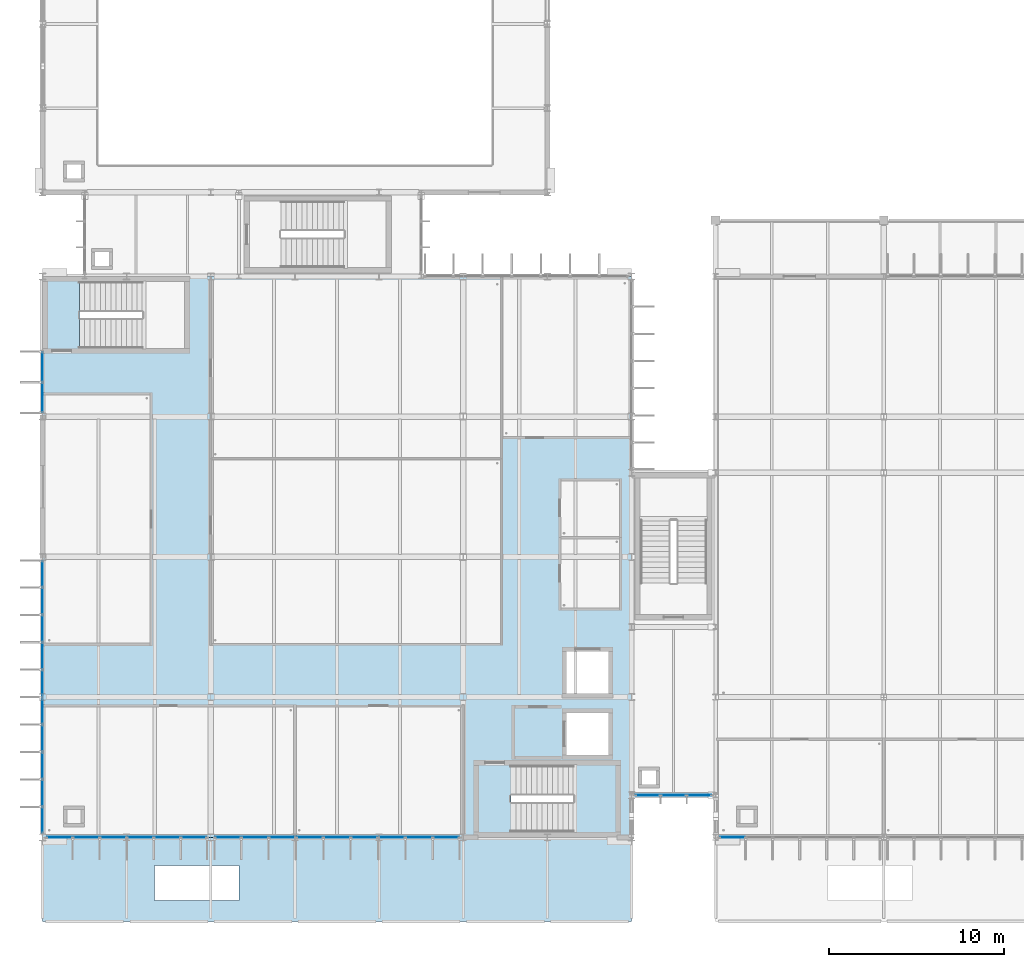
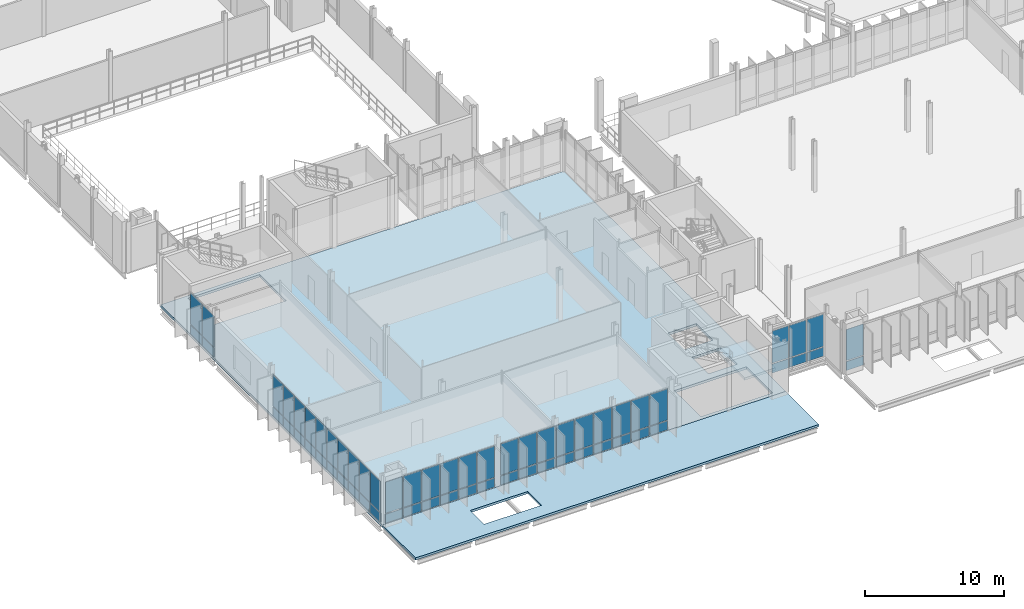
# One storey, part 46 of 107: 62 plates, 3 slabs, 7 elements without a shape of their own.
"""IFC4 building model written with IfcOpenShell, lengths in metres."""

from ifc_helpers import new_model, si_unit, direction, frame, origin, origin_2d, place, context, subcontext, project, spatial, polyline, rectangle, outline, extrude, material, layer, layer_set, type_object, element, aggregate, save


model = new_model("IFC4")

# Units and contexts
model_context = context("Model", 3, precision=1e-05, world=origin(), true_north=direction((0.0, 1.0)))
body_context = subcontext(model_context, "Body", "Model", "MODEL_VIEW")
ifc_project = project(units=[si_unit("LENGTHUNIT", "METRE"), si_unit("AREAUNIT", "SQUARE_METRE"), si_unit("VOLUMEUNIT", "CUBIC_METRE"), si_unit("PLANEANGLEUNIT", "RADIAN"), si_unit("MASSUNIT", "GRAM", prefix="KILO")], contexts=[model_context])

# Site, building, storey
site_placement = place(None, origin())
site = spatial("IfcSite", under=ifc_project, at=site_placement, CompositionType="ELEMENT")
building_placement = place(site_placement, origin())
building = spatial("IfcBuilding", under=site, at=building_placement, Name="Dunescarp Central Library", CompositionType="ELEMENT")
storey_placement = place(building_placement, frame((0.0, 0.0, 5.10009765625)))
storey = spatial("IfcBuildingStorey", under=building, at=storey_placement, Name="L01", CompositionType="ELEMENT", Elevation=5.10009765625)

# Curtain wall, plates
ifc_material_1 = material(Name="Marine-grade anodised aluminium 6063-T6", Category="aluminium")
curtain_wall_type_1 = type_object("IfcCurtainWallType", Name="ARC-CW-STICK", PredefinedType="NOTDEFINED", material=ifc_material_1)
curtain_wall_1_placement = place(storey_placement, origin())
curtain_wall_1 = element("IfcCurtainWall", 1, at=curtain_wall_1_placement, inside=storey, type_object=curtain_wall_type_1, Name="L01 curtain wall CW-V1-006", PredefinedType="NOTDEFINED")
ifc_material_2 = material(Name="Solar-control laminated double glazing", Category="glass")
ifc_layer_1 = layer(ifc_material_2, 0.028076171875)
ifc_layer_set_1 = layer_set([ifc_layer_1], Name="Solar-control laminated double glazing")
plate_type_1 = type_object("IfcPlateType", Name="ARC-PLT-GLZ28", PredefinedType="CURTAIN_PANEL", material=ifc_layer_set_1)
plate_1_placement = place(storey_placement, frame((8.63427734375, 4.800048828125, 0.93994140625), z_axis=(0.0, 0.0, 1.0), x_axis=(-1.0, 0.0, 0.0)))
plate_1 = element("IfcPlate", 2, at=plate_1_placement, type_object=plate_type_1, Name="CW-V1-006 panel 1.2", PredefinedType="CURTAIN_PANEL", context=body_context, shape_type="SweptSolid", body=[
    extrude(rectangle(XDim=1.421630859375, YDim=0.028076171875, at=origin_2d()), origin(), (0.0, 0.0, 1.0), 2.7451171875),
])
plate_2_placement = place(storey_placement, frame((7.112548828125, 4.800048828125, 0.93994140625), z_axis=(0.0, 0.0, 1.0), x_axis=(-1.0, 0.0, 0.0)))
plate_2 = element("IfcPlate", 3, at=plate_2_placement, type_object=plate_type_1, Name="CW-V1-006 panel 2.2", PredefinedType="CURTAIN_PANEL", context=body_context, shape_type="SweptSolid", body=[
    extrude(rectangle(XDim=1.461669921875, YDim=0.028076171875, at=origin_2d()), origin(), (0.0, 0.0, 1.0), 2.7451171875),
])
plate_3_placement = place(storey_placement, frame((5.57080078125, 4.800048828125, 0.93994140625), z_axis=(0.0, 0.0, 1.0), x_axis=(-1.0, 0.0, 0.0)))
plate_3 = element("IfcPlate", 4, at=plate_3_placement, type_object=plate_type_1, Name="CW-V1-006 panel 3.2", PredefinedType="CURTAIN_PANEL", context=body_context, shape_type="SweptSolid", body=[
    extrude(rectangle(XDim=1.461669921875, YDim=0.028076171875, at=origin_2d()), origin(), (0.0, 0.0, 1.0), 2.7451171875),
])
plate_4_placement = place(storey_placement, frame((4.029052734375, 4.800048828125, 0.93994140625), z_axis=(0.0, 0.0, 1.0), x_axis=(-1.0, 0.0, 0.0)))
plate_4 = element("IfcPlate", 5, at=plate_4_placement, type_object=plate_type_1, Name="CW-V1-006 panel 4.2", PredefinedType="CURTAIN_PANEL", context=body_context, shape_type="SweptSolid", body=[
    extrude(rectangle(XDim=1.461669921875, YDim=0.028076171875, at=origin_2d()), origin(), (0.0, 0.0, 1.0), 2.7451171875),
])
plate_5_placement = place(storey_placement, frame((2.487548828125, 4.800048828125, 0.93994140625), z_axis=(0.0, 0.0, 1.0), x_axis=(-1.0, 0.0, 0.0)))
plate_5 = element("IfcPlate", 6, at=plate_5_placement, type_object=plate_type_1, Name="CW-V1-006 panel 5.2", PredefinedType="CURTAIN_PANEL", context=body_context, shape_type="SweptSolid", body=[
    extrude(rectangle(XDim=1.461669921875, YDim=0.028076171875, at=origin_2d()), origin(), (0.0, 0.0, 1.0), 2.7451171875),
])
plate_6_placement = place(storey_placement, frame((0.9658203125, 4.800048828125, 0.93994140625), z_axis=(0.0, 0.0, 1.0), x_axis=(-1.0, 0.0, 0.0)))
plate_6 = element("IfcPlate", 7, at=plate_6_placement, type_object=plate_type_1, Name="CW-V1-006 panel 6.2", PredefinedType="CURTAIN_PANEL", context=body_context, shape_type="SweptSolid", body=[
    extrude(rectangle(XDim=1.421630859375, YDim=0.028076171875, at=origin_2d()), origin(), (0.0, 0.0, 1.0), 2.7451171875),
])

curtain_wall_2_placement = place(storey_placement, origin())
curtain_wall_2 = element("IfcCurtainWall", 8, at=curtain_wall_2_placement, inside=storey, type_object=curtain_wall_type_1, Name="L01 curtain wall CW-V1-007", PredefinedType="NOTDEFINED")
plate_7_placement = place(storey_placement, frame((23.0244140625, 4.800048828125, 0.93994140625), z_axis=(0.0, 0.0, 1.0), x_axis=(-1.0, 0.0, 0.0)))
plate_7 = element("IfcPlate", 9, at=plate_7_placement, type_object=plate_type_1, Name="CW-V1-007 panel 1.2", PredefinedType="CURTAIN_PANEL", context=body_context, shape_type="SweptSolid", body=[
    extrude(rectangle(XDim=1.441162109375, YDim=0.028076171875, at=origin_2d()), origin(), (0.0, 0.0, 1.0), 2.7451171875),
])
plate_8_placement = place(storey_placement, frame((21.4833984375, 4.800048828125, 0.93994140625), z_axis=(0.0, 0.0, 1.0), x_axis=(-1.0, 0.0, 0.0)))
plate_8 = element("IfcPlate", 10, at=plate_8_placement, type_object=plate_type_1, Name="CW-V1-007 panel 2.2", PredefinedType="CURTAIN_PANEL", context=body_context, shape_type="SweptSolid", body=[
    extrude(rectangle(XDim=1.481201171875, YDim=0.028076171875, at=origin_2d()), origin(), (0.0, 0.0, 1.0), 2.7451171875),
])
plate_9_placement = place(storey_placement, frame((19.922119140625, 4.800048828125, 0.93994140625), z_axis=(0.0, 0.0, 1.0), x_axis=(-1.0, 0.0, 0.0)))
plate_9 = element("IfcPlate", 11, at=plate_9_placement, type_object=plate_type_1, Name="CW-V1-007 panel 3.2", PredefinedType="CURTAIN_PANEL", context=body_context, shape_type="SweptSolid", body=[
    extrude(rectangle(XDim=1.481201171875, YDim=0.028076171875, at=origin_2d()), origin(), (0.0, 0.0, 1.0), 2.7451171875),
])
plate_10_placement = place(storey_placement, frame((18.361083984375, 4.800048828125, 0.93994140625), z_axis=(0.0, 0.0, 1.0), x_axis=(-1.0, 0.0, 0.0)))
plate_10 = element("IfcPlate", 12, at=plate_10_placement, type_object=plate_type_1, Name="CW-V1-007 panel 4.2", PredefinedType="CURTAIN_PANEL", context=body_context, shape_type="SweptSolid", body=[
    extrude(rectangle(XDim=1.481201171875, YDim=0.028076171875, at=origin_2d()), origin(), (0.0, 0.0, 1.0), 2.7451171875),
])
plate_11_placement = place(storey_placement, frame((16.800048828125, 4.800048828125, 0.93994140625), z_axis=(0.0, 0.0, 1.0), x_axis=(-1.0, 0.0, 0.0)))
plate_11 = element("IfcPlate", 13, at=plate_11_placement, type_object=plate_type_1, Name="CW-V1-007 panel 5.2", PredefinedType="CURTAIN_PANEL", context=body_context, shape_type="SweptSolid", body=[
    extrude(rectangle(XDim=1.481201171875, YDim=0.028076171875, at=origin_2d()), origin(), (0.0, 0.0, 1.0), 2.7451171875),
])
plate_12_placement = place(storey_placement, frame((15.23876953125, 4.800048828125, 0.93994140625), z_axis=(0.0, 0.0, 1.0), x_axis=(-1.0, 0.0, 0.0)))
plate_12 = element("IfcPlate", 14, at=plate_12_placement, type_object=plate_type_1, Name="CW-V1-007 panel 6.2", PredefinedType="CURTAIN_PANEL", context=body_context, shape_type="SweptSolid", body=[
    extrude(rectangle(XDim=1.481201171875, YDim=0.028076171875, at=origin_2d()), origin(), (0.0, 0.0, 1.0), 2.7451171875),
])
plate_13_placement = place(storey_placement, frame((13.677734375, 4.800048828125, 0.93994140625), z_axis=(0.0, 0.0, 1.0), x_axis=(-1.0, 0.0, 0.0)))
plate_13 = element("IfcPlate", 15, at=plate_13_placement, type_object=plate_type_1, Name="CW-V1-007 panel 7.2", PredefinedType="CURTAIN_PANEL", context=body_context, shape_type="SweptSolid", body=[
    extrude(rectangle(XDim=1.481201171875, YDim=0.028076171875, at=origin_2d()), origin(), (0.0, 0.0, 1.0), 2.7451171875),
])
plate_14_placement = place(storey_placement, frame((12.11669921875, 4.800048828125, 0.93994140625), z_axis=(0.0, 0.0, 1.0), x_axis=(-1.0, 0.0, 0.0)))
plate_14 = element("IfcPlate", 16, at=plate_14_placement, type_object=plate_type_1, Name="CW-V1-007 panel 8.2", PredefinedType="CURTAIN_PANEL", context=body_context, shape_type="SweptSolid", body=[
    extrude(rectangle(XDim=1.481201171875, YDim=0.028076171875, at=origin_2d()), origin(), (0.0, 0.0, 1.0), 2.7451171875),
])
plate_15_placement = place(storey_placement, frame((10.575439453125, 4.800048828125, 0.93994140625), z_axis=(0.0, 0.0, 1.0), x_axis=(-1.0, 0.0, 0.0)))
plate_15 = element("IfcPlate", 17, at=plate_15_placement, type_object=plate_type_1, Name="CW-V1-007 panel 9.2", PredefinedType="CURTAIN_PANEL", context=body_context, shape_type="SweptSolid", body=[
    extrude(rectangle(XDim=1.441162109375, YDim=0.028076171875, at=origin_2d()), origin(), (0.0, 0.0, 1.0), 2.7451171875),
])

curtain_wall_3_placement = place(storey_placement, origin())
curtain_wall_3 = element("IfcCurtainWall", 18, at=curtain_wall_3_placement, inside=storey, type_object=curtain_wall_type_1, Name="L01 curtain wall CW-V1-009", PredefinedType="NOTDEFINED")
plate_16_placement = place(storey_placement, frame((0.0, 5.777587890625, 0.93994140625), z_axis=(0.0, 0.0, 1.0), x_axis=(0.0, 1.0, 0.0)))
plate_16 = element("IfcPlate", 19, at=plate_16_placement, type_object=plate_type_1, Name="CW-V1-009 panel 1.2", PredefinedType="CURTAIN_PANEL", context=body_context, shape_type="SweptSolid", body=[
    extrude(rectangle(XDim=1.445068359375, YDim=0.028076171875, at=origin_2d()), origin(), (0.0, 0.0, 1.0), 2.7451171875),
])
plate_17_placement = place(storey_placement, frame((0.0, 7.322509765625, 0.93994140625), z_axis=(0.0, 0.0, 1.0), x_axis=(0.0, 1.0, 0.0)))
plate_17 = element("IfcPlate", 20, at=plate_17_placement, type_object=plate_type_1, Name="CW-V1-009 panel 2.2", PredefinedType="CURTAIN_PANEL", context=body_context, shape_type="SweptSolid", body=[
    extrude(rectangle(XDim=1.485107421875, YDim=0.028076171875, at=origin_2d()), origin(), (0.0, 0.0, 1.0), 2.7451171875),
])
plate_18_placement = place(storey_placement, frame((0.0, 8.887451171875, 0.93994140625), z_axis=(0.0, 0.0, 1.0), x_axis=(0.0, 1.0, 0.0)))
plate_18 = element("IfcPlate", 21, at=plate_18_placement, type_object=plate_type_1, Name="CW-V1-009 panel 3.2", PredefinedType="CURTAIN_PANEL", context=body_context, shape_type="SweptSolid", body=[
    extrude(rectangle(XDim=1.485107421875, YDim=0.028076171875, at=origin_2d()), origin(), (0.0, 0.0, 1.0), 2.7451171875),
])
plate_19_placement = place(storey_placement, frame((0.0, 10.452392578125, 0.93994140625), z_axis=(0.0, 0.0, 1.0), x_axis=(0.0, 1.0, 0.0)))
plate_19 = element("IfcPlate", 22, at=plate_19_placement, type_object=plate_type_1, Name="CW-V1-009 panel 4.2", PredefinedType="CURTAIN_PANEL", context=body_context, shape_type="SweptSolid", body=[
    extrude(rectangle(XDim=1.485107421875, YDim=0.028076171875, at=origin_2d()), origin(), (0.0, 0.0, 1.0), 2.7451171875),
])
plate_20_placement = place(storey_placement, frame((0.0, 12.017578125, 0.93994140625), z_axis=(0.0, 0.0, 1.0), x_axis=(0.0, 1.0, 0.0)))
plate_20 = element("IfcPlate", 23, at=plate_20_placement, type_object=plate_type_1, Name="CW-V1-009 panel 5.2", PredefinedType="CURTAIN_PANEL", context=body_context, shape_type="SweptSolid", body=[
    extrude(rectangle(XDim=1.485107421875, YDim=0.028076171875, at=origin_2d()), origin(), (0.0, 0.0, 1.0), 2.7451171875),
])
plate_21_placement = place(storey_placement, frame((0.0, 13.58251953125, 0.93994140625), z_axis=(0.0, 0.0, 1.0), x_axis=(0.0, 1.0, 0.0)))
plate_21 = element("IfcPlate", 24, at=plate_21_placement, type_object=plate_type_1, Name="CW-V1-009 panel 6.2", PredefinedType="CURTAIN_PANEL", context=body_context, shape_type="SweptSolid", body=[
    extrude(rectangle(XDim=1.485107421875, YDim=0.028076171875, at=origin_2d()), origin(), (0.0, 0.0, 1.0), 2.7451171875),
])
plate_22_placement = place(storey_placement, frame((0.0, 15.1474609375, 0.93994140625), z_axis=(0.0, 0.0, 1.0), x_axis=(0.0, 1.0, 0.0)))
plate_22 = element("IfcPlate", 25, at=plate_22_placement, type_object=plate_type_1, Name="CW-V1-009 panel 7.2", PredefinedType="CURTAIN_PANEL", context=body_context, shape_type="SweptSolid", body=[
    extrude(rectangle(XDim=1.485107421875, YDim=0.028076171875, at=origin_2d()), origin(), (0.0, 0.0, 1.0), 2.7451171875),
])
plate_23_placement = place(storey_placement, frame((0.0, 16.71240234375, 0.93994140625), z_axis=(0.0, 0.0, 1.0), x_axis=(0.0, 1.0, 0.0)))
plate_23 = element("IfcPlate", 26, at=plate_23_placement, type_object=plate_type_1, Name="CW-V1-009 panel 8.2", PredefinedType="CURTAIN_PANEL", context=body_context, shape_type="SweptSolid", body=[
    extrude(rectangle(XDim=1.485107421875, YDim=0.028076171875, at=origin_2d()), origin(), (0.0, 0.0, 1.0), 2.7451171875),
])
plate_24_placement = place(storey_placement, frame((0.0, 18.277587890625, 0.93994140625), z_axis=(0.0, 0.0, 1.0), x_axis=(0.0, 1.0, 0.0)))
plate_24 = element("IfcPlate", 27, at=plate_24_placement, type_object=plate_type_1, Name="CW-V1-009 panel 9.2", PredefinedType="CURTAIN_PANEL", context=body_context, shape_type="SweptSolid", body=[
    extrude(rectangle(XDim=1.485107421875, YDim=0.028076171875, at=origin_2d()), origin(), (0.0, 0.0, 1.0), 2.7451171875),
])
plate_25_placement = place(storey_placement, frame((0.0, 19.822509765625, 0.93994140625), z_axis=(0.0, 0.0, 1.0), x_axis=(0.0, 1.0, 0.0)))
plate_25 = element("IfcPlate", 28, at=plate_25_placement, type_object=plate_type_1, Name="CW-V1-009 panel 10.2", PredefinedType="CURTAIN_PANEL", context=body_context, shape_type="SweptSolid", body=[
    extrude(rectangle(XDim=1.445068359375, YDim=0.028076171875, at=origin_2d()), origin(), (0.0, 0.0, 1.0), 2.7451171875),
])

curtain_wall_4_placement = place(storey_placement, origin())
curtain_wall_4 = element("IfcCurtainWall", 29, at=curtain_wall_4_placement, inside=storey, type_object=curtain_wall_type_1, Name="L01 curtain wall CW-V1-010", PredefinedType="NOTDEFINED")
plate_26_placement = place(storey_placement, frame((0.0, 29.888671875, 0.93994140625), z_axis=(0.0, 0.0, 1.0), x_axis=(0.0, 1.0, 0.0)))
plate_26 = element("IfcPlate", 30, at=plate_26_placement, type_object=plate_type_1, Name="CW-V1-010 panel 1.2", PredefinedType="CURTAIN_PANEL", context=body_context, shape_type="SweptSolid", body=[
    extrude(rectangle(XDim=1.66748046875, YDim=0.028076171875, at=origin_2d()), origin(), (0.0, 0.0, 1.0), 2.7451171875),
])
plate_27_placement = place(storey_placement, frame((0.0, 31.63623046875, 0.93994140625), z_axis=(0.0, 0.0, 1.0), x_axis=(0.0, 1.0, 0.0)))
plate_27 = element("IfcPlate", 31, at=plate_27_placement, type_object=plate_type_1, Name="CW-V1-010 panel 2.2", PredefinedType="CURTAIN_PANEL", context=body_context, shape_type="SweptSolid", body=[
    extrude(rectangle(XDim=1.66748046875, YDim=0.028076171875, at=origin_2d()), origin(), (0.0, 0.0, 1.0), 2.7451171875),
])

# Curtain wall, plate
curtain_wall_5_placement = place(storey_placement, origin())
curtain_wall_5 = element("IfcCurtainWall", 32, at=curtain_wall_5_placement, inside=storey, type_object=curtain_wall_type_1, Name="L01 curtain wall CW-V2-048", PredefinedType="NOTDEFINED")
plate_28_placement = place(storey_placement, frame((39.36572265625, 4.800048828125, 0.93994140625), z_axis=(0.0, 0.0, 1.0), x_axis=(-1.0, 0.0, 0.0)))
plate_28 = element("IfcPlate", 33, at=plate_28_placement, type_object=plate_type_1, Name="CW-V2-048 panel 6.2", PredefinedType="CURTAIN_PANEL", context=body_context, shape_type="SweptSolid", body=[
    extrude(rectangle(XDim=1.421630859375, YDim=0.028076171875, at=origin_2d()), origin(), (0.0, 0.0, 1.0), 2.7451171875),
])

# Curtain wall, plates
curtain_wall_type_2 = type_object("IfcCurtainWallType", Name="ARC-CW-LINK", PredefinedType="USERDEFINED", material=ifc_material_1)
curtain_wall_6_placement = place(storey_placement, origin())
curtain_wall_6 = element("IfcCurtainWall", 34, at=curtain_wall_6_placement, inside=storey, type_object=curtain_wall_type_2, Name="L01 curtain wall CW-GL1-S-L01", ObjectType="GLAZED_LINK_WALL", PredefinedType="USERDEFINED")
plate_29_placement = place(storey_placement, frame((37.46337890625, 7.199951171875, 0.93994140625), z_axis=(0.0, 0.0, 1.0), x_axis=(-1.0, 0.0, 0.0)))
plate_29 = element("IfcPlate", 35, at=plate_29_placement, type_object=plate_type_1, Name="CW-GL1-S-L01 panel 1.2", PredefinedType="CURTAIN_PANEL", context=body_context, shape_type="SweptSolid", body=[
    extrude(rectangle(XDim=1.36328125, YDim=0.028076171875, at=origin_2d()), origin(), (0.0, 0.0, 1.0), 2.83203125),
])
plate_30_placement = place(storey_placement, frame((36.0, 7.199951171875, 0.93994140625), z_axis=(0.0, 0.0, 1.0), x_axis=(-1.0, 0.0, 0.0)))
plate_30 = element("IfcPlate", 36, at=plate_30_placement, type_object=plate_type_1, Name="CW-GL1-S-L01 panel 2.2", PredefinedType="CURTAIN_PANEL", context=body_context, shape_type="SweptSolid", body=[
    extrude(rectangle(XDim=1.4033203125, YDim=0.028076171875, at=origin_2d()), origin(), (0.0, 0.0, 1.0), 2.83203125),
])
plate_31_placement = place(storey_placement, frame((34.53662109375, 7.199951171875, 0.93994140625), z_axis=(0.0, 0.0, 1.0), x_axis=(-1.0, 0.0, 0.0)))
plate_31 = element("IfcPlate", 37, at=plate_31_placement, type_object=plate_type_1, Name="CW-GL1-S-L01 panel 3.2", PredefinedType="CURTAIN_PANEL", context=body_context, shape_type="SweptSolid", body=[
    extrude(rectangle(XDim=1.36328125, YDim=0.028076171875, at=origin_2d()), origin(), (0.0, 0.0, 1.0), 2.83203125),
])

# Plate
ifc_layer_2 = layer(ifc_material_1, 0.050048828125)
ifc_layer_set_2 = layer_set([ifc_layer_2], Name="Marine-grade anodised aluminium 6063-T6")
plate_type_2 = type_object("IfcPlateType", Name="ARC-PLT-SPN50", PredefinedType="SHEET", material=ifc_layer_set_2)
plate_32_placement = place(storey_placement, frame((8.63427734375, 4.800048828125, 0.080078125), z_axis=(0.0, 0.0, 1.0), x_axis=(-1.0, 0.0, 0.0)))
plate_32 = element("IfcPlate", 38, at=plate_32_placement, type_object=plate_type_2, Name="CW-V1-006 panel 1.1", PredefinedType="SHEET", context=body_context, shape_type="SweptSolid", body=[
    extrude(rectangle(XDim=1.421630859375, YDim=0.050048828125, at=origin_2d()), origin(), (0.0, 0.0, 1.0), 0.780029296875),
])

plate_33_placement = place(storey_placement, frame((7.112548828125, 4.800048828125, 0.080078125), z_axis=(0.0, 0.0, 1.0), x_axis=(-1.0, 0.0, 0.0)))
plate_33 = element("IfcPlate", 39, at=plate_33_placement, type_object=plate_type_2, Name="CW-V1-006 panel 2.1", PredefinedType="SHEET", context=body_context, shape_type="SweptSolid", body=[
    extrude(rectangle(XDim=1.461669921875, YDim=0.050048828125, at=origin_2d()), origin(), (0.0, 0.0, 1.0), 0.780029296875),
])

plate_34_placement = place(storey_placement, frame((5.57080078125, 4.800048828125, 0.080078125), z_axis=(0.0, 0.0, 1.0), x_axis=(-1.0, 0.0, 0.0)))
plate_34 = element("IfcPlate", 40, at=plate_34_placement, type_object=plate_type_2, Name="CW-V1-006 panel 3.1", PredefinedType="SHEET", context=body_context, shape_type="SweptSolid", body=[
    extrude(rectangle(XDim=1.461669921875, YDim=0.050048828125, at=origin_2d()), origin(), (0.0, 0.0, 1.0), 0.780029296875),
])

plate_35_placement = place(storey_placement, frame((4.029052734375, 4.800048828125, 0.080078125), z_axis=(0.0, 0.0, 1.0), x_axis=(-1.0, 0.0, 0.0)))
plate_35 = element("IfcPlate", 41, at=plate_35_placement, type_object=plate_type_2, Name="CW-V1-006 panel 4.1", PredefinedType="SHEET", context=body_context, shape_type="SweptSolid", body=[
    extrude(rectangle(XDim=1.461669921875, YDim=0.050048828125, at=origin_2d()), origin(), (0.0, 0.0, 1.0), 0.780029296875),
])

plate_36_placement = place(storey_placement, frame((2.487548828125, 4.800048828125, 0.080078125), z_axis=(0.0, 0.0, 1.0), x_axis=(-1.0, 0.0, 0.0)))
plate_36 = element("IfcPlate", 42, at=plate_36_placement, type_object=plate_type_2, Name="CW-V1-006 panel 5.1", PredefinedType="SHEET", context=body_context, shape_type="SweptSolid", body=[
    extrude(rectangle(XDim=1.461669921875, YDim=0.050048828125, at=origin_2d()), origin(), (0.0, 0.0, 1.0), 0.780029296875),
])

plate_37_placement = place(storey_placement, frame((0.9658203125, 4.800048828125, 0.080078125), z_axis=(0.0, 0.0, 1.0), x_axis=(-1.0, 0.0, 0.0)))
plate_37 = element("IfcPlate", 43, at=plate_37_placement, type_object=plate_type_2, Name="CW-V1-006 panel 6.1", PredefinedType="SHEET", context=body_context, shape_type="SweptSolid", body=[
    extrude(rectangle(XDim=1.421630859375, YDim=0.050048828125, at=origin_2d()), origin(), (0.0, 0.0, 1.0), 0.780029296875),
])

aggregate(curtain_wall_1, [plate_32, plate_1, plate_33, plate_2, plate_34, plate_3, plate_35, plate_4, plate_36, plate_5, plate_37, plate_6])

plate_38_placement = place(storey_placement, frame((23.0244140625, 4.800048828125, 0.080078125), z_axis=(0.0, 0.0, 1.0), x_axis=(-1.0, 0.0, 0.0)))
plate_38 = element("IfcPlate", 44, at=plate_38_placement, type_object=plate_type_2, Name="CW-V1-007 panel 1.1", PredefinedType="SHEET", context=body_context, shape_type="SweptSolid", body=[
    extrude(rectangle(XDim=1.441162109375, YDim=0.050048828125, at=origin_2d()), origin(), (0.0, 0.0, 1.0), 0.780029296875),
])

plate_39_placement = place(storey_placement, frame((21.4833984375, 4.800048828125, 0.080078125), z_axis=(0.0, 0.0, 1.0), x_axis=(-1.0, 0.0, 0.0)))
plate_39 = element("IfcPlate", 45, at=plate_39_placement, type_object=plate_type_2, Name="CW-V1-007 panel 2.1", PredefinedType="SHEET", context=body_context, shape_type="SweptSolid", body=[
    extrude(rectangle(XDim=1.481201171875, YDim=0.050048828125, at=origin_2d()), origin(), (0.0, 0.0, 1.0), 0.780029296875),
])

plate_40_placement = place(storey_placement, frame((19.922119140625, 4.800048828125, 0.080078125), z_axis=(0.0, 0.0, 1.0), x_axis=(-1.0, 0.0, 0.0)))
plate_40 = element("IfcPlate", 46, at=plate_40_placement, type_object=plate_type_2, Name="CW-V1-007 panel 3.1", PredefinedType="SHEET", context=body_context, shape_type="SweptSolid", body=[
    extrude(rectangle(XDim=1.481201171875, YDim=0.050048828125, at=origin_2d()), origin(), (0.0, 0.0, 1.0), 0.780029296875),
])

plate_41_placement = place(storey_placement, frame((18.361083984375, 4.800048828125, 0.080078125), z_axis=(0.0, 0.0, 1.0), x_axis=(-1.0, 0.0, 0.0)))
plate_41 = element("IfcPlate", 47, at=plate_41_placement, type_object=plate_type_2, Name="CW-V1-007 panel 4.1", PredefinedType="SHEET", context=body_context, shape_type="SweptSolid", body=[
    extrude(rectangle(XDim=1.481201171875, YDim=0.050048828125, at=origin_2d()), origin(), (0.0, 0.0, 1.0), 0.780029296875),
])

plate_42_placement = place(storey_placement, frame((16.800048828125, 4.800048828125, 0.080078125), z_axis=(0.0, 0.0, 1.0), x_axis=(-1.0, 0.0, 0.0)))
plate_42 = element("IfcPlate", 48, at=plate_42_placement, type_object=plate_type_2, Name="CW-V1-007 panel 5.1", PredefinedType="SHEET", context=body_context, shape_type="SweptSolid", body=[
    extrude(rectangle(XDim=1.481201171875, YDim=0.050048828125, at=origin_2d()), origin(), (0.0, 0.0, 1.0), 0.780029296875),
])

plate_43_placement = place(storey_placement, frame((15.23876953125, 4.800048828125, 0.080078125), z_axis=(0.0, 0.0, 1.0), x_axis=(-1.0, 0.0, 0.0)))
plate_43 = element("IfcPlate", 49, at=plate_43_placement, type_object=plate_type_2, Name="CW-V1-007 panel 6.1", PredefinedType="SHEET", context=body_context, shape_type="SweptSolid", body=[
    extrude(rectangle(XDim=1.481201171875, YDim=0.050048828125, at=origin_2d()), origin(), (0.0, 0.0, 1.0), 0.780029296875),
])

plate_44_placement = place(storey_placement, frame((13.677734375, 4.800048828125, 0.080078125), z_axis=(0.0, 0.0, 1.0), x_axis=(-1.0, 0.0, 0.0)))
plate_44 = element("IfcPlate", 50, at=plate_44_placement, type_object=plate_type_2, Name="CW-V1-007 panel 7.1", PredefinedType="SHEET", context=body_context, shape_type="SweptSolid", body=[
    extrude(rectangle(XDim=1.481201171875, YDim=0.050048828125, at=origin_2d()), origin(), (0.0, 0.0, 1.0), 0.780029296875),
])

plate_45_placement = place(storey_placement, frame((12.11669921875, 4.800048828125, 0.080078125), z_axis=(0.0, 0.0, 1.0), x_axis=(-1.0, 0.0, 0.0)))
plate_45 = element("IfcPlate", 51, at=plate_45_placement, type_object=plate_type_2, Name="CW-V1-007 panel 8.1", PredefinedType="SHEET", context=body_context, shape_type="SweptSolid", body=[
    extrude(rectangle(XDim=1.481201171875, YDim=0.050048828125, at=origin_2d()), origin(), (0.0, 0.0, 1.0), 0.780029296875),
])

plate_46_placement = place(storey_placement, frame((10.575439453125, 4.800048828125, 0.080078125), z_axis=(0.0, 0.0, 1.0), x_axis=(-1.0, 0.0, 0.0)))
plate_46 = element("IfcPlate", 52, at=plate_46_placement, type_object=plate_type_2, Name="CW-V1-007 panel 9.1", PredefinedType="SHEET", context=body_context, shape_type="SweptSolid", body=[
    extrude(rectangle(XDim=1.441162109375, YDim=0.050048828125, at=origin_2d()), origin(), (0.0, 0.0, 1.0), 0.780029296875),
])

aggregate(curtain_wall_2, [plate_38, plate_7, plate_39, plate_8, plate_40, plate_9, plate_41, plate_10, plate_42, plate_11, plate_43, plate_12, plate_44, plate_13, plate_45, plate_14, plate_46, plate_15])

plate_47_placement = place(storey_placement, frame((0.0, 5.777587890625, 0.080078125), z_axis=(0.0, 0.0, 1.0), x_axis=(0.0, 1.0, 0.0)))
plate_47 = element("IfcPlate", 53, at=plate_47_placement, type_object=plate_type_2, Name="CW-V1-009 panel 1.1", PredefinedType="SHEET", context=body_context, shape_type="SweptSolid", body=[
    extrude(rectangle(XDim=1.445068359375, YDim=0.050048828125, at=origin_2d()), origin(), (0.0, 0.0, 1.0), 0.780029296875),
])

plate_48_placement = place(storey_placement, frame((0.0, 7.322509765625, 0.080078125), z_axis=(0.0, 0.0, 1.0), x_axis=(0.0, 1.0, 0.0)))
plate_48 = element("IfcPlate", 54, at=plate_48_placement, type_object=plate_type_2, Name="CW-V1-009 panel 2.1", PredefinedType="SHEET", context=body_context, shape_type="SweptSolid", body=[
    extrude(rectangle(XDim=1.485107421875, YDim=0.050048828125, at=origin_2d()), origin(), (0.0, 0.0, 1.0), 0.780029296875),
])

plate_49_placement = place(storey_placement, frame((0.0, 8.887451171875, 0.080078125), z_axis=(0.0, 0.0, 1.0), x_axis=(0.0, 1.0, 0.0)))
plate_49 = element("IfcPlate", 55, at=plate_49_placement, type_object=plate_type_2, Name="CW-V1-009 panel 3.1", PredefinedType="SHEET", context=body_context, shape_type="SweptSolid", body=[
    extrude(rectangle(XDim=1.485107421875, YDim=0.050048828125, at=origin_2d()), origin(), (0.0, 0.0, 1.0), 0.780029296875),
])

plate_50_placement = place(storey_placement, frame((0.0, 10.452392578125, 0.080078125), z_axis=(0.0, 0.0, 1.0), x_axis=(0.0, 1.0, 0.0)))
plate_50 = element("IfcPlate", 56, at=plate_50_placement, type_object=plate_type_2, Name="CW-V1-009 panel 4.1", PredefinedType="SHEET", context=body_context, shape_type="SweptSolid", body=[
    extrude(rectangle(XDim=1.485107421875, YDim=0.050048828125, at=origin_2d()), origin(), (0.0, 0.0, 1.0), 0.780029296875),
])

plate_51_placement = place(storey_placement, frame((0.0, 12.017578125, 0.080078125), z_axis=(0.0, 0.0, 1.0), x_axis=(0.0, 1.0, 0.0)))
plate_51 = element("IfcPlate", 57, at=plate_51_placement, type_object=plate_type_2, Name="CW-V1-009 panel 5.1", PredefinedType="SHEET", context=body_context, shape_type="SweptSolid", body=[
    extrude(rectangle(XDim=1.485107421875, YDim=0.050048828125, at=origin_2d()), origin(), (0.0, 0.0, 1.0), 0.780029296875),
])

plate_52_placement = place(storey_placement, frame((0.0, 13.58251953125, 0.080078125), z_axis=(0.0, 0.0, 1.0), x_axis=(0.0, 1.0, 0.0)))
plate_52 = element("IfcPlate", 58, at=plate_52_placement, type_object=plate_type_2, Name="CW-V1-009 panel 6.1", PredefinedType="SHEET", context=body_context, shape_type="SweptSolid", body=[
    extrude(rectangle(XDim=1.485107421875, YDim=0.050048828125, at=origin_2d()), origin(), (0.0, 0.0, 1.0), 0.780029296875),
])

plate_53_placement = place(storey_placement, frame((0.0, 15.1474609375, 0.080078125), z_axis=(0.0, 0.0, 1.0), x_axis=(0.0, 1.0, 0.0)))
plate_53 = element("IfcPlate", 59, at=plate_53_placement, type_object=plate_type_2, Name="CW-V1-009 panel 7.1", PredefinedType="SHEET", context=body_context, shape_type="SweptSolid", body=[
    extrude(rectangle(XDim=1.485107421875, YDim=0.050048828125, at=origin_2d()), origin(), (0.0, 0.0, 1.0), 0.780029296875),
])

plate_54_placement = place(storey_placement, frame((0.0, 16.71240234375, 0.080078125), z_axis=(0.0, 0.0, 1.0), x_axis=(0.0, 1.0, 0.0)))
plate_54 = element("IfcPlate", 60, at=plate_54_placement, type_object=plate_type_2, Name="CW-V1-009 panel 8.1", PredefinedType="SHEET", context=body_context, shape_type="SweptSolid", body=[
    extrude(rectangle(XDim=1.485107421875, YDim=0.050048828125, at=origin_2d()), origin(), (0.0, 0.0, 1.0), 0.780029296875),
])

plate_55_placement = place(storey_placement, frame((0.0, 18.277587890625, 0.080078125), z_axis=(0.0, 0.0, 1.0), x_axis=(0.0, 1.0, 0.0)))
plate_55 = element("IfcPlate", 61, at=plate_55_placement, type_object=plate_type_2, Name="CW-V1-009 panel 9.1", PredefinedType="SHEET", context=body_context, shape_type="SweptSolid", body=[
    extrude(rectangle(XDim=1.485107421875, YDim=0.050048828125, at=origin_2d()), origin(), (0.0, 0.0, 1.0), 0.780029296875),
])

plate_56_placement = place(storey_placement, frame((0.0, 19.822509765625, 0.080078125), z_axis=(0.0, 0.0, 1.0), x_axis=(0.0, 1.0, 0.0)))
plate_56 = element("IfcPlate", 62, at=plate_56_placement, type_object=plate_type_2, Name="CW-V1-009 panel 10.1", PredefinedType="SHEET", context=body_context, shape_type="SweptSolid", body=[
    extrude(rectangle(XDim=1.445068359375, YDim=0.050048828125, at=origin_2d()), origin(), (0.0, 0.0, 1.0), 0.780029296875),
])

aggregate(curtain_wall_3, [plate_47, plate_16, plate_48, plate_17, plate_49, plate_18, plate_50, plate_19, plate_51, plate_20, plate_52, plate_21, plate_53, plate_22, plate_54, plate_23, plate_55, plate_24, plate_56, plate_25])

plate_57_placement = place(storey_placement, frame((0.0, 29.888671875, 0.080078125), z_axis=(0.0, 0.0, 1.0), x_axis=(0.0, 1.0, 0.0)))
plate_57 = element("IfcPlate", 63, at=plate_57_placement, type_object=plate_type_2, Name="CW-V1-010 panel 1.1", PredefinedType="SHEET", context=body_context, shape_type="SweptSolid", body=[
    extrude(rectangle(XDim=1.66748046875, YDim=0.050048828125, at=origin_2d()), origin(), (0.0, 0.0, 1.0), 0.780029296875),
])

plate_58_placement = place(storey_placement, frame((0.0, 31.63623046875, 0.080078125), z_axis=(0.0, 0.0, 1.0), x_axis=(0.0, 1.0, 0.0)))
plate_58 = element("IfcPlate", 64, at=plate_58_placement, type_object=plate_type_2, Name="CW-V1-010 panel 2.1", PredefinedType="SHEET", context=body_context, shape_type="SweptSolid", body=[
    extrude(rectangle(XDim=1.66748046875, YDim=0.050048828125, at=origin_2d()), origin(), (0.0, 0.0, 1.0), 0.780029296875),
])

aggregate(curtain_wall_4, [plate_57, plate_26, plate_58, plate_27])

plate_59_placement = place(storey_placement, frame((39.36572265625, 4.800048828125, 0.080078125), z_axis=(0.0, 0.0, 1.0), x_axis=(-1.0, 0.0, 0.0)))
plate_59 = element("IfcPlate", 65, at=plate_59_placement, type_object=plate_type_2, Name="CW-V2-048 panel 6.1", PredefinedType="SHEET", context=body_context, shape_type="SweptSolid", body=[
    extrude(rectangle(XDim=1.421630859375, YDim=0.050048828125, at=origin_2d()), origin(), (0.0, 0.0, 1.0), 0.780029296875),
])

aggregate(curtain_wall_5, [plate_59, plate_28])

plate_60_placement = place(storey_placement, frame((37.46337890625, 7.199951171875, 0.080078125), z_axis=(0.0, 0.0, 1.0), x_axis=(-1.0, 0.0, 0.0)))
plate_60 = element("IfcPlate", 66, at=plate_60_placement, type_object=plate_type_2, Name="CW-GL1-S-L01 panel 1.1", PredefinedType="SHEET", context=body_context, shape_type="SweptSolid", body=[
    extrude(rectangle(XDim=1.36328125, YDim=0.050048828125, at=origin_2d()), origin(), (0.0, 0.0, 1.0), 0.780029296875),
])

plate_61_placement = place(storey_placement, frame((36.0, 7.199951171875, 0.080078125), z_axis=(0.0, 0.0, 1.0), x_axis=(-1.0, 0.0, 0.0)))
plate_61 = element("IfcPlate", 67, at=plate_61_placement, type_object=plate_type_2, Name="CW-GL1-S-L01 panel 2.1", PredefinedType="SHEET", context=body_context, shape_type="SweptSolid", body=[
    extrude(rectangle(XDim=1.4033203125, YDim=0.050048828125, at=origin_2d()), origin(), (0.0, 0.0, 1.0), 0.780029296875),
])

plate_62_placement = place(storey_placement, frame((34.53662109375, 7.199951171875, 0.080078125), z_axis=(0.0, 0.0, 1.0), x_axis=(-1.0, 0.0, 0.0)))
plate_62 = element("IfcPlate", 68, at=plate_62_placement, type_object=plate_type_2, Name="CW-GL1-S-L01 panel 3.1", PredefinedType="SHEET", context=body_context, shape_type="SweptSolid", body=[
    extrude(rectangle(XDim=1.36328125, YDim=0.050048828125, at=origin_2d()), origin(), (0.0, 0.0, 1.0), 0.780029296875),
])

aggregate(curtain_wall_6, [plate_60, plate_29, plate_61, plate_30, plate_62, plate_31])

# Stair, slab
ifc_material_3 = material(Name="Concrete C35/45", Category="concrete")
stair_type = type_object("IfcStairType", Name="ARC-STR-TYP", PredefinedType="HALF_TURN_STAIR", material=ifc_material_3)
stair_placement = place(storey_placement, origin())
stair = element("IfcStair", 69, at=stair_placement, inside=storey, type_object=stair_type, Name="L01 Protected escape stair ST-1", PredefinedType="HALF_TURN_STAIR")
ifc_layer_3 = layer(ifc_material_3, 0.199951171875)
ifc_layer_set_3 = layer_set([ifc_layer_3], Name="Concrete C35/45")
slab_type_1 = type_object("IfcSlabType", Name="STR-SLB-LAND200", PredefinedType="LANDING", material=ifc_layer_set_3)
slab_1_placement = place(storey_placement, frame((0.0, 0.0, 2.0498046875)))
slab_1 = element("IfcSlab", 70, at=slab_1_placement, type_object=slab_type_1, Name="ST-1 landing 1", PredefinedType="LANDING", context=body_context, shape_type="SweptSolid", body=[
    extrude(outline(polyline([(30.284912109375, 4.949951171875), (32.85009765625, 4.949951171875), (32.85009765625, 9.050048828125), (30.284912109375, 9.050048828125), (30.284912109375, 4.949951171875)])), origin(), (0.0, 0.0, 1.0), 0.2001953125),
])
aggregate(stair, [slab_1])

# Slabs
ifc_layer_4 = layer(ifc_material_3, 0.199951171875)
ifc_layer_set_4 = layer_set([ifc_layer_4], Name="Concrete C35/45")
slab_type_2 = type_object("IfcSlabType", Name="STR-SLB-ROOF200", PredefinedType="ROOF", material=ifc_layer_set_4)
slab_2_placement = place(storey_placement, frame((0.0, 0.0, -0.2001953125)))
element("IfcSlab", 71, at=slab_2_placement, inside=storey, type_object=slab_type_2, Name="South street colonnade canopy roof COL-S1", PredefinedType="ROOF", context=body_context, shape_type="SweptSolid", body=[
    extrude(outline(polyline([(0.0, 0.0), (33.60009765625, 0.0), (33.60009765625, 4.800048828125), (0.0, 4.800048828125), (0.0, 0.0)]), holes=[polyline([(6.39990234375, 1.199951171875), (11.199951171875, 1.199951171875), (11.199951171875, 3.199951171875), (6.39990234375, 3.199951171875), (6.39990234375, 1.199951171875)])]), origin(), (0.0, 0.0, 1.0), 0.2001953125),
])
ifc_layer_5 = layer(ifc_material_3, 0.219970703125)
ifc_layer_set_5 = layer_set([ifc_layer_5], Name="Concrete C35/45")
slab_type_3 = type_object("IfcSlabType", Name="STR-SLB-STACK220", PredefinedType="FLOOR", material=ifc_layer_set_5)
slab_3_placement = place(storey_placement, frame((0.0, 0.0, -0.22021484375)))
element("IfcSlab", 72, at=slab_3_placement, inside=storey, type_object=slab_type_3, Name="L01 V1 slab", PredefinedType="FLOOR", context=body_context, shape_type="SweptSolid", body=[
    extrude(outline(polyline([(0.0, 4.800048828125), (33.60009765625, 4.800048828125), (33.60009765625, 36.800048828125), (0.0, 36.800048828125), (0.0, 4.800048828125)]), holes=[polyline([(26.715087890625, 5.10009765625), (32.699951171875, 5.10009765625), (32.699951171875, 8.89990234375), (26.715087890625, 8.89990234375), (26.715087890625, 5.10009765625)]), polyline([(2.114990234375, 32.699951171875), (8.10009765625, 32.699951171875), (8.10009765625, 36.5), (2.114990234375, 36.5), (2.114990234375, 32.699951171875)]), polyline([(29.89990234375, 9.5), (32.300048828125, 9.5), (32.300048828125, 11.89990234375), (29.89990234375, 11.89990234375), (29.89990234375, 9.5)]), polyline([(29.89990234375, 13.0), (32.300048828125, 13.0), (32.300048828125, 15.39990234375), (29.89990234375, 15.39990234375), (29.89990234375, 13.0)]), polyline([(1.39990234375, 5.60009765625), (2.199951171875, 5.60009765625), (2.199951171875, 6.39990234375), (1.39990234375, 6.39990234375), (1.39990234375, 5.60009765625)])]), origin(), (0.0, 0.0, 1.0), 0.22021484375),
])

save(model, "model.ifc")
